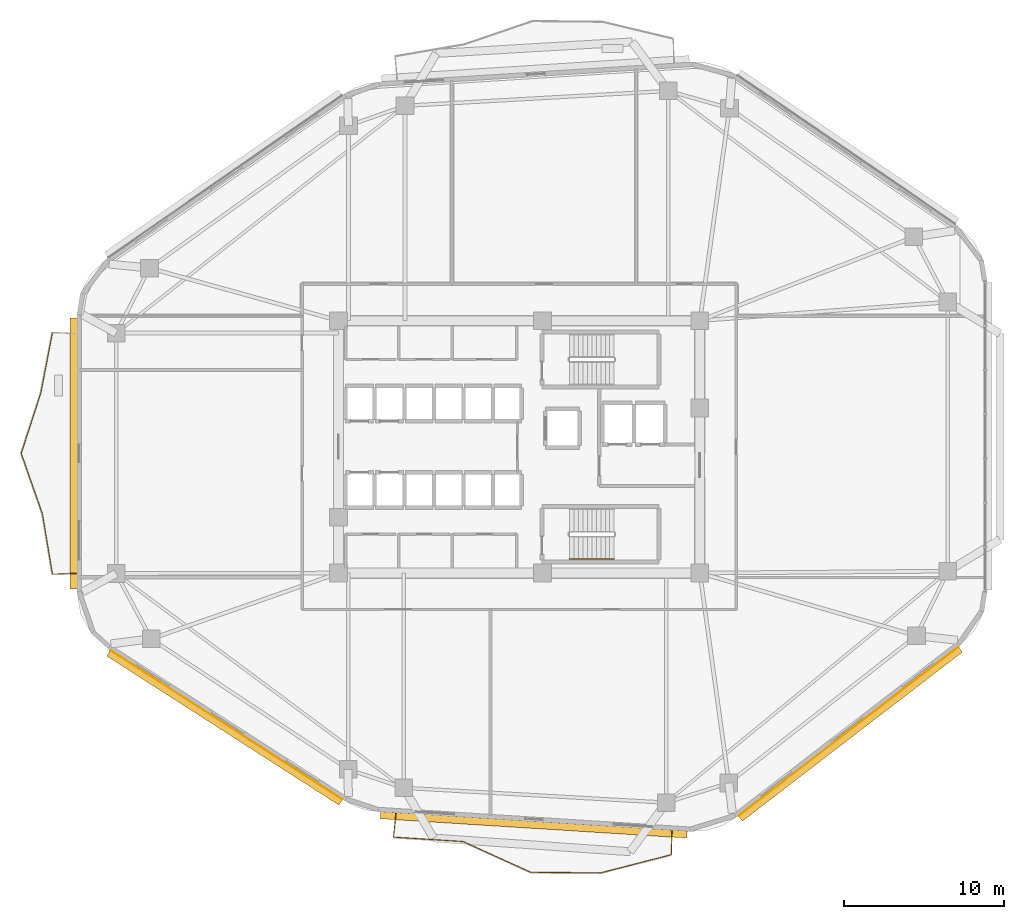
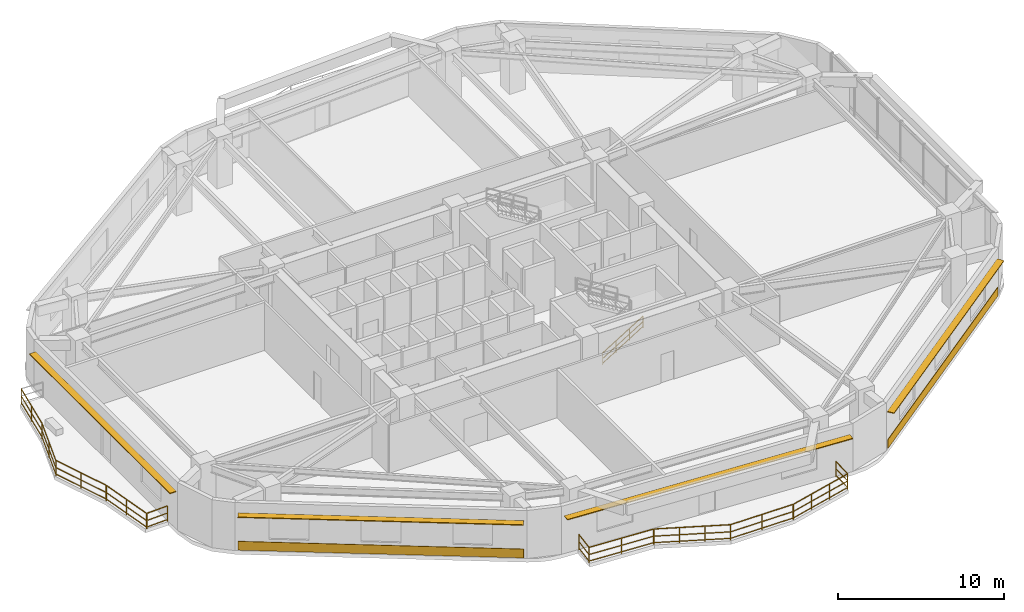
# One storey, part 12 of 14: 12 railings, 4 shading devices, 2 coverings.
"""IFC4 building model written with IfcOpenShell, lengths in metres."""

import ifcopenshell
import ifcopenshell.guid

model = None  # the IFC model being written
_history = None  # IfcOwnerHistory: only IFC2X3 demands one
_inside = {}  # id of a spatial element -> (the spatial element, [elements in it])
_under = {}  # id of a project, library or spatial element -> (it, [spatial elements below it])
_declared = {}  # id of a project -> (the project, [libraries it declares])
_typed = {}  # id of a type object -> (the type object, [elements of that type])
_made_of = {}  # id of a material, layer set ... -> (it, [elements and type objects made of it])


def new_model(schema):
    """Start an empty IFC model of exactly this schema.

    Asked for "IFC4X3", IfcOpenShell would pick the latest addendum, in which some entities
    have other attributes; the version numbers below select the first issue.
    IFC2X3 requires an IfcOwnerHistory on every rooted entity: one is made here for all.
    """
    global model, _history
    if schema == "IFC4X3":
        model = ifcopenshell.file(schema_version=(4, 3, 0, 0))
    else:
        model = ifcopenshell.file(schema=schema)
    _inside.clear()
    _under.clear()
    _declared.clear()
    _typed.clear()
    _made_of.clear()
    _history = None
    if model.schema == "IFC2X3":
        org = make("IfcOrganization", Name="unknown")
        user = make(
            "IfcPersonAndOrganization",
            ThePerson=make("IfcPerson", FamilyName="unknown"),
            TheOrganization=org,
        )
        app = make(
            "IfcApplication",
            ApplicationDeveloper=org,
            Version="unknown",
            ApplicationFullName="unknown",
            ApplicationIdentifier="unknown",
        )
        _history = make(
            "IfcOwnerHistory",
            OwningUser=user,
            OwningApplication=app,
            ChangeAction="ADDED",
            CreationDate=0,
        )
    return model


def make(cls, **values):
    """One entity of the class cls with the attributes given. An attribute that is None is left unset."""
    return model.create_entity(
        cls, **{name: value for name, value in values.items() if value is not None}
    )


def rooted(cls, **values):
    """An entity with a GlobalId (a new one), such as an element, a storey or a relation."""
    return make(cls, GlobalId=ifcopenshell.guid.new(), OwnerHistory=_history, **values)


def si_unit(unit_type, name, prefix=None):
    """IfcSIUnit, for example si_unit("LENGTHUNIT", "METRE", prefix="MILLI")."""
    return make("IfcSIUnit", UnitType=unit_type, Prefix=prefix, Name=name)


def assignment(units):
    """IfcUnitAssignment: the units of a project."""
    return None if units is None else make("IfcUnitAssignment", Units=units)


def point(xyz):
    """IfcCartesianPoint."""
    return None if xyz is None else make("IfcCartesianPoint", Coordinates=xyz)


def direction(xyz):
    """IfcDirection."""
    return None if xyz is None else make("IfcDirection", DirectionRatios=xyz)


def frame(location, z_axis=None, x_axis=None):
    """IfcAxis2Placement3D, a coordinate frame: its origin and axes. An axis left out is left unset."""
    return make(
        "IfcAxis2Placement3D",
        Location=point(location),
        Axis=direction(z_axis),
        RefDirection=direction(x_axis),
    )


def frame_2d(location, x_axis=None):
    """IfcAxis2Placement2D, a coordinate frame in the plane: its origin and x axis."""
    return make(
        "IfcAxis2Placement2D", Location=point(location), RefDirection=direction(x_axis)
    )


def origin():
    """The frame at (0, 0, 0) with its axes left unset."""
    return frame((0.0, 0.0, 0.0))


def origin_2d():
    """The frame at (0, 0) in the plane with its x axis left unset."""
    return frame_2d((0.0, 0.0))


def place(relative_to, where):
    """IfcLocalPlacement: puts the frame where relative to a parent placement (None: the world)."""
    return make(
        "IfcLocalPlacement", PlacementRelTo=relative_to, RelativePlacement=where
    )


def context(
    kind, dimensions, precision=None, world=None, true_north=None, identifier=None
):
    """IfcGeometricRepresentationContext, for example the 3D "Model" context."""
    return make(
        "IfcGeometricRepresentationContext",
        ContextIdentifier=identifier,
        ContextType=kind,
        CoordinateSpaceDimension=dimensions,
        Precision=precision,
        WorldCoordinateSystem=world,
        TrueNorth=true_north,
    )


def subcontext(parent, identifier, kind, view, scale=None):
    """IfcGeometricRepresentationSubContext, for example "Body" below "Model"."""
    return make(
        "IfcGeometricRepresentationSubContext",
        ContextIdentifier=identifier,
        ContextType=kind,
        ParentContext=parent,
        TargetScale=scale,
        TargetView=view,
    )


def project(units=None, contexts=None):
    """IfcProject with its units and contexts."""
    return rooted(
        "IfcProject",
        Name="project",
        RepresentationContexts=contexts,
        UnitsInContext=assignment(units),
    )


def spatial(cls, under=None, at=None, **own):
    """A site, building, storey or space (cls), placed at a placement, below another one or the project."""
    s = rooted(cls, ObjectPlacement=at, **own)
    if under is not None:
        _under.setdefault(under.id(), (under, []))[1].append(s)
    return s


def profile(cls, at=None, kind="AREA", **sizes):
    """A parametric profile (cls). Its sizes go by their IFC names, for example OverallWidth=200.0."""
    return make(cls, ProfileType=kind, Position=at, **sizes)


def rectangle(**sizes):
    """IfcRectangleProfileDef."""
    return profile("IfcRectangleProfileDef", **sizes)


def extrude(swept, where, along, depth):
    """IfcExtrudedAreaSolid: the profile swept, set in the frame where, extruded along a direction by depth."""
    return make(
        "IfcExtrudedAreaSolid",
        SweptArea=swept,
        Position=where,
        ExtrudedDirection=direction(along),
        Depth=depth,
    )


def shape(context_of_items, identifier, shape_type, items):
    """IfcShapeRepresentation: the items that make up one representation, for example the "Body"."""
    return make(
        "IfcShapeRepresentation",
        ContextOfItems=context_of_items,
        RepresentationIdentifier=identifier,
        RepresentationType=shape_type,
        Items=items,
    )


def material(Name=None, Category=None):
    """IfcMaterial."""
    return make("IfcMaterial", Name=Name, Category=Category)


def layer(
    of_material, thickness, ventilated=None, Name=None, Category=None, Priority=None
):
    """IfcMaterialLayer: one layer of a wall or slab, of a material (None: an air gap)."""
    return make(
        "IfcMaterialLayer",
        Material=of_material,
        LayerThickness=thickness,
        IsVentilated=ventilated,
        Name=Name,
        Category=Category,
        Priority=Priority,
    )


def layer_set(layers, Name=None):
    """IfcMaterialLayerSet."""
    return make("IfcMaterialLayerSet", MaterialLayers=layers, LayerSetName=Name)


def made_of(thing, what):
    """Note that an element or type object is made of a material, layer set ...; save() writes the relation."""
    if what is not None:
        _made_of.setdefault(what.id(), (what, []))[1].append(thing)
    return thing


def type_object(cls, material=None, **own):
    """A type object (cls), such as IfcWallType, which elements share."""
    return made_of(rooted(cls, **own), material)


def element(
    cls,
    number,
    at=None,
    inside=None,
    cuts=None,
    type_object=None,
    material=None,
    context=None,
    identifier="Body",
    shape_type=None,
    held_by="IfcProductDefinitionShape",
    body=None,
    shapes=None,
    **own,
):
    """One element of the class cls, such as IfcWall. Its Tag is "e" and its number.

    at: its placement. inside: the storey or other place that contains it. cuts: it is an
    opening in that element (IfcRelVoidsElement). A single representation is given by context,
    identifier, shape_type and body (its items); several are given by shapes. held_by: the class
    of the entity that holds the representations. save() writes the other relations.
    """
    e = rooted(cls, Tag="e%d" % number, ObjectPlacement=at, **own)
    if body is not None:
        shapes = [shape(context, identifier, shape_type, body)]
    if shapes is not None:
        e.Representation = make(held_by, Representations=shapes)
    if inside is not None:
        _inside.setdefault(inside.id(), (inside, []))[1].append(e)
    if cuts is not None:
        rooted(
            "IfcRelVoidsElement", RelatingBuildingElement=cuts, RelatedOpeningElement=e
        )
    if type_object is not None:
        _typed.setdefault(type_object.id(), (type_object, []))[1].append(e)
    return made_of(e, material)


def aggregate(whole, parts):
    """IfcRelAggregates: a whole, such as a stair, and the parts it consists of."""
    return rooted("IfcRelAggregates", RelatingObject=whole, RelatedObjects=parts)


def save(model, path):
    """Write the relations noted so far, then the file.

    IfcRelAggregates (storeys below a building ...), IfcRelContainedInSpatialStructure (elements
    in a storey), IfcRelDefinesByType, IfcRelAssociatesMaterial and IfcRelDeclares: one each for
    every whole, place, type object, material and project.
    """
    for whole, parts in _under.values():
        aggregate(whole, parts)
    for where, things in _inside.values():
        rooted(
            "IfcRelContainedInSpatialStructure",
            RelatedElements=things,
            RelatingStructure=where,
        )
    for kind, things in _typed.values():
        rooted("IfcRelDefinesByType", RelatedObjects=things, RelatingType=kind)
    for what, things in _made_of.values():
        rooted("IfcRelAssociatesMaterial", RelatedObjects=things, RelatingMaterial=what)
    for by, libraries in _declared.values():
        rooted("IfcRelDeclares", RelatingContext=by, RelatedDefinitions=libraries)
    model.write(path)


model = new_model("IFC4")

# Units and contexts
model_context = context("Model", 3, precision=1e-05, world=origin(), true_north=direction((0.0, 1.0)))
body_context = subcontext(model_context, "Body", "Model", "MODEL_VIEW")
ifc_project = project(units=[si_unit("LENGTHUNIT", "METRE"), si_unit("AREAUNIT", "SQUARE_METRE"), si_unit("VOLUMEUNIT", "CUBIC_METRE"), si_unit("PLANEANGLEUNIT", "RADIAN"), si_unit("MASSUNIT", "GRAM", prefix="KILO")], contexts=[model_context])

# Site, building, storey
site_placement = place(None, origin())
site = spatial("IfcSite", under=ifc_project, at=site_placement, CompositionType="ELEMENT")
building_placement = place(site_placement, origin())
building = spatial("IfcBuilding", under=site, at=building_placement, Name="Zulverin Broadcast Headquarters", CompositionType="ELEMENT")
storey_placement = place(building_placement, frame((0.0, 0.0, 85.800048828125)))
storey = spatial("IfcBuildingStorey", under=building, at=storey_placement, Name="L21", CompositionType="ELEMENT", Elevation=85.800048828125)

# Coverings
ifc_material_1 = material(Name="Brushed pale-aluminium rainscreen cladding", Category="aluminium")
ifc_layer_1 = layer(ifc_material_1, 0.0400390625, Name="Brushed pale-aluminium rainscreen cladding", Category="aluminium")
ifc_layer_set_1 = layer_set([ifc_layer_1], Name="Brushed pale-aluminium rainscreen cladding")
covering_type = type_object("IfcCoveringType", Name="COV-CLAD-PALE", PredefinedType="CLADDING", material=ifc_layer_set_1)
covering_1_placement = place(storey_placement, frame((57.542724609375, 7.448974609375, 0.054931640625), z_axis=(0.0, 0.0, 1.0), x_axis=(0.792933468586, 0.609308226102, 0.0)))
element("IfcCovering", 1, at=covering_1_placement, inside=storey, type_object=covering_type, Name="L21 Brushed Pale-Aluminium Spandrel Cladding 2", PredefinedType="CLADDING", context=body_context, shape_type="SweptSolid", body=[
    extrude(rectangle(XDim=17.312744140625, YDim=0.0400390625, at=origin_2d()), origin(), (0.0, 0.0, 1.0), 0.64990234375),
])
covering_2_placement = place(storey_placement, frame((18.732666015625, 7.84130859375, 0.054931640625), z_axis=(0.0, 0.0, 1.0), x_axis=(0.841296678234, -0.540573676007, 0.0)))
element("IfcCovering", 2, at=covering_2_placement, inside=storey, type_object=covering_type, Name="L21 Brushed Pale-Aluminium Spandrel Cladding 8", PredefinedType="CLADDING", context=body_context, shape_type="SweptSolid", body=[
    extrude(rectangle(XDim=17.2119140625, YDim=0.0400390625, at=origin_2d()), origin(), (0.0, 0.0, 1.0), 0.64990234375),
])

# Railings
ifc_material_2 = material(Name="Brushed stainless steel & laminated glass balustrade", Category="steel")
railing_type_1 = type_object("IfcRailingType", Name="RL-GUARD-1150", PredefinedType="GUARDRAIL", material=ifc_material_2)
railing_1_placement = place(storey_placement, frame((7.877197265625, 32.32958984375, 0.0)))
element("IfcRailing", 3, at=railing_1_placement, inside=storey, type_object=railing_type_1, Name="L21 Vertical-Forest Balcony Guardrail BAL_W Segment 02", PredefinedType="GUARDRAIL", context=body_context, shape_type="SweptSolid", body=[
    extrude(rectangle(XDim=0.048095703125, YDim=0.048095703125, at=origin_2d()), frame((0.0, 0.0, 1.1259765625), z_axis=(-0.189379095055, -0.981904047428, 0.0), x_axis=(0.981904047428, -0.189379095055, 0.0)), (0.0, 0.0, 1.0), 3.814697265625),
    extrude(rectangle(XDim=0.0419921875, YDim=0.0419921875, at=origin_2d()), frame((0.0, 0.0, 0.597900390625), z_axis=(-0.189379095055, -0.981904047428, 0.0), x_axis=(0.981904047428, -0.189379095055, 0.0)), (0.0, 0.0, 1.0), 3.814697265625),
    extrude(rectangle(XDim=0.0419921875, YDim=0.0419921875, at=origin_2d()), frame((0.0, 0.0, 0.1201171875), z_axis=(-0.189379095055, -0.981904047428, 0.0), x_axis=(0.981904047428, -0.189379095055, 0.0)), (0.0, 0.0, 1.0), 3.814697265625),
    extrude(rectangle(XDim=0.0419921875, YDim=0.0419921875, at=origin_2d()), origin(), (0.0, 0.0, 1.0), 1.101806640625),
    extrude(rectangle(XDim=0.0419921875, YDim=0.0419921875, at=origin_2d()), frame((-0.361328125, -1.872802734375, 0.0)), (0.0, 0.0, 1.0), 1.101806640625),
    extrude(rectangle(XDim=0.0419921875, YDim=0.0419921875, at=origin_2d()), frame((-0.722412109375, -3.74560546875, 0.0)), (0.0, 0.0, 1.0), 1.101806640625),
])
railing_2_placement = place(storey_placement, frame((7.1474609375, 28.554931640625, 0.0)))
element("IfcRailing", 4, at=railing_2_placement, inside=storey, type_object=railing_type_1, Name="L21 Vertical-Forest Balcony Guardrail BAL_W Segment 03", PredefinedType="GUARDRAIL", context=body_context, shape_type="SweptSolid", body=[
    extrude(rectangle(XDim=0.048095703125, YDim=0.048095703125, at=origin_2d()), frame((0.0, 0.0, 1.1259765625), z_axis=(-0.307995247277, -0.951387895474, 0.0), x_axis=(0.951387895474, -0.307995247277, 0.0)), (0.0, 0.0, 1.0), 3.93798828125),
    extrude(rectangle(XDim=0.0419921875, YDim=0.0419921875, at=origin_2d()), frame((0.0, 0.0, 0.597900390625), z_axis=(-0.307995247277, -0.951387895474, 0.0), x_axis=(0.951387895474, -0.307995247277, 0.0)), (0.0, 0.0, 1.0), 3.93798828125),
    extrude(rectangle(XDim=0.0419921875, YDim=0.0419921875, at=origin_2d()), frame((0.0, 0.0, 0.1201171875), z_axis=(-0.307995247277, -0.951387895474, 0.0), x_axis=(0.951387895474, -0.307995247277, 0.0)), (0.0, 0.0, 1.0), 3.93798828125),
    extrude(rectangle(XDim=0.0419921875, YDim=0.0419921875, at=origin_2d()), origin(), (0.0, 0.0, 1.0), 1.101806640625),
    extrude(rectangle(XDim=0.0419921875, YDim=0.0419921875, at=origin_2d()), frame((-0.6064453125, -1.873291015625, 0.0)), (0.0, 0.0, 1.0), 1.101806640625),
    extrude(rectangle(XDim=0.0419921875, YDim=0.0419921875, at=origin_2d()), frame((-1.212890625, -3.74658203125, 0.0)), (0.0, 0.0, 1.0), 1.101806640625),
])
railing_3_placement = place(storey_placement, frame((5.934814453125, 24.77978515625, 0.0)))
element("IfcRailing", 5, at=railing_3_placement, inside=storey, type_object=railing_type_1, Name="L21 Vertical-Forest Balcony Guardrail BAL_W Segment 04", PredefinedType="GUARDRAIL", context=body_context, shape_type="SweptSolid", body=[
    extrude(rectangle(XDim=0.048095703125, YDim=0.048095703125, at=origin_2d()), frame((0.0, 0.0, 1.1259765625), z_axis=(0.329832515305, -0.944039465196, 0.0), x_axis=(0.944039465196, 0.329832515305, 0.0)), (0.0, 0.0, 1.0), 3.968994140625),
    extrude(rectangle(XDim=0.0419921875, YDim=0.0419921875, at=origin_2d()), frame((0.0, 0.0, 0.597900390625), z_axis=(0.329832515305, -0.944039465196, 0.0), x_axis=(0.944039465196, 0.329832515305, 0.0)), (0.0, 0.0, 1.0), 3.968994140625),
    extrude(rectangle(XDim=0.0419921875, YDim=0.0419921875, at=origin_2d()), frame((0.0, 0.0, 0.1201171875), z_axis=(0.329832515305, -0.944039465196, 0.0), x_axis=(0.944039465196, 0.329832515305, 0.0)), (0.0, 0.0, 1.0), 3.968994140625),
    extrude(rectangle(XDim=0.0419921875, YDim=0.0419921875, at=origin_2d()), origin(), (0.0, 0.0, 1.0), 1.101806640625),
    extrude(rectangle(XDim=0.0419921875, YDim=0.0419921875, at=origin_2d()), frame((0.654541015625, -1.87353515625, 0.0)), (0.0, 0.0, 1.0), 1.101806640625),
    extrude(rectangle(XDim=0.0419921875, YDim=0.0419921875, at=origin_2d()), frame((1.30908203125, -3.746826171875, 0.0)), (0.0, 0.0, 1.0), 1.101806640625),
])
railing_4_placement = place(storey_placement, frame((7.251220703125, 21.00390625, 0.0)))
element("IfcRailing", 6, at=railing_4_placement, inside=storey, type_object=railing_type_1, Name="L21 Vertical-Forest Balcony Guardrail BAL_W Segment 05", PredefinedType="GUARDRAIL", context=body_context, shape_type="SweptSolid", body=[
    extrude(rectangle(XDim=0.048095703125, YDim=0.048095703125, at=origin_2d()), frame((0.0, 0.0, 1.1259765625), z_axis=(0.164899372021, -0.986310395924, 0.0), x_axis=(0.986310395924, 0.164899372021, 0.0)), (0.0, 0.0, 1.0), 3.797607421875),
    extrude(rectangle(XDim=0.0419921875, YDim=0.0419921875, at=origin_2d()), frame((0.0, 0.0, 0.597900390625), z_axis=(0.164899372021, -0.986310395924, 0.0), x_axis=(0.986310395924, 0.164899372021, 0.0)), (0.0, 0.0, 1.0), 3.797607421875),
    extrude(rectangle(XDim=0.0419921875, YDim=0.0419921875, at=origin_2d()), frame((0.0, 0.0, 0.1201171875), z_axis=(0.164899372021, -0.986310395924, 0.0), x_axis=(0.986310395924, 0.164899372021, 0.0)), (0.0, 0.0, 1.0), 3.797607421875),
    extrude(rectangle(XDim=0.0419921875, YDim=0.0419921875, at=origin_2d()), origin(), (0.0, 0.0, 1.0), 1.101806640625),
    extrude(rectangle(XDim=0.0419921875, YDim=0.0419921875, at=origin_2d()), frame((0.31298828125, -1.872802734375, 0.0)), (0.0, 0.0, 1.0), 1.101806640625),
    extrude(rectangle(XDim=0.0419921875, YDim=0.0419921875, at=origin_2d()), frame((0.626220703125, -3.74560546875, 0.0)), (0.0, 0.0, 1.0), 1.101806640625),
])
railing_5_placement = place(storey_placement, frame((7.89501953125, 17.244140625, 0.0)))
element("IfcRailing", 7, at=railing_5_placement, inside=storey, type_object=railing_type_1, Name="L21 Vertical-Forest Balcony Guardrail BAL_W Segment 06", PredefinedType="GUARDRAIL", context=body_context, shape_type="SweptSolid", body=[
    extrude(rectangle(XDim=0.048095703125, YDim=0.048095703125, at=origin_2d()), frame((0.0, 0.0, 1.1259765625), z_axis=(0.999174410196, 0.040626321628, 0.0), x_axis=(-0.040626321628, 0.999174410196, 0.0)), (0.0, 0.0, 1.0), 1.46630859375),
    extrude(rectangle(XDim=0.0419921875, YDim=0.0419921875, at=origin_2d()), frame((0.0, 0.0, 0.597900390625), z_axis=(0.999174410196, 0.040626321628, 0.0), x_axis=(-0.040626321628, 0.999174410196, 0.0)), (0.0, 0.0, 1.0), 1.46630859375),
    extrude(rectangle(XDim=0.0419921875, YDim=0.0419921875, at=origin_2d()), frame((0.0, 0.0, 0.1201171875), z_axis=(0.999174410196, 0.040626321628, 0.0), x_axis=(-0.040626321628, 0.999174410196, 0.0)), (0.0, 0.0, 1.0), 1.46630859375),
    extrude(rectangle(XDim=0.0419921875, YDim=0.0419921875, at=origin_2d()), origin(), (0.0, 0.0, 1.0), 1.101806640625),
    extrude(rectangle(XDim=0.0419921875, YDim=0.0419921875, at=origin_2d()), frame((1.465087890625, 0.0595703125, 0.0)), (0.0, 0.0, 1.0), 1.101806640625),
])
railing_6_placement = place(storey_placement, frame((29.3076171875, 2.318603515625, 0.0)))
element("IfcRailing", 8, at=railing_6_placement, inside=storey, type_object=railing_type_1, Name="L21 Vertical-Forest Balcony Guardrail BAL_S Segment 01", PredefinedType="GUARDRAIL", context=body_context, shape_type="SweptSolid", body=[
    extrude(rectangle(XDim=0.048095703125, YDim=0.048095703125, at=origin_2d()), frame((0.0, 0.0, 1.1259765625), z_axis=(-0.103228615139, -0.99465765619, 0.0), x_axis=(0.99465765619, -0.103228615139, 0.0)), (0.0, 0.0, 1.0), 1.46630859375),
    extrude(rectangle(XDim=0.0419921875, YDim=0.0419921875, at=origin_2d()), frame((0.0, 0.0, 0.597900390625), z_axis=(-0.103228615139, -0.99465765619, 0.0), x_axis=(0.99465765619, -0.103228615139, 0.0)), (0.0, 0.0, 1.0), 1.46630859375),
    extrude(rectangle(XDim=0.0419921875, YDim=0.0419921875, at=origin_2d()), frame((0.0, 0.0, 0.1201171875), z_axis=(-0.103228615139, -0.99465765619, 0.0), x_axis=(0.99465765619, -0.103228615139, 0.0)), (0.0, 0.0, 1.0), 1.46630859375),
    extrude(rectangle(XDim=0.0419921875, YDim=0.0419921875, at=origin_2d()), origin(), (0.0, 0.0, 1.0), 1.101806640625),
    extrude(rectangle(XDim=0.0419921875, YDim=0.0419921875, at=origin_2d()), frame((-0.1513671875, -1.45849609375, 0.0)), (0.0, 0.0, 1.0), 1.101806640625),
])
railing_7_placement = place(storey_placement, frame((29.169677734375, 0.84423828125, 0.0)))
element("IfcRailing", 9, at=railing_7_placement, inside=storey, type_object=railing_type_1, Name="L21 Vertical-Forest Balcony Guardrail BAL_S Segment 02", PredefinedType="GUARDRAIL", context=body_context, shape_type="SweptSolid", body=[
    extrude(rectangle(XDim=0.048095703125, YDim=0.048095703125, at=origin_2d()), frame((0.0, 0.0, 1.1259765625), z_axis=(0.998014296805, -0.062987803365, 0.0), x_axis=(0.062987803365, 0.998014296805, 0.0)), (0.0, 0.0, 1.0), 4.31396484375),
    extrude(rectangle(XDim=0.0419921875, YDim=0.0419921875, at=origin_2d()), frame((0.0, 0.0, 0.597900390625), z_axis=(0.998014296805, -0.062987803365, 0.0), x_axis=(0.062987803365, 0.998014296805, 0.0)), (0.0, 0.0, 1.0), 4.31396484375),
    extrude(rectangle(XDim=0.0419921875, YDim=0.0419921875, at=origin_2d()), frame((0.0, 0.0, 0.1201171875), z_axis=(0.998014296805, -0.062987803365, 0.0), x_axis=(0.062987803365, 0.998014296805, 0.0)), (0.0, 0.0, 1.0), 4.31396484375),
    extrude(rectangle(XDim=0.0419921875, YDim=0.0419921875, at=origin_2d()), origin(), (0.0, 0.0, 1.0), 1.101806640625),
    extrude(rectangle(XDim=0.0419921875, YDim=0.0419921875, at=origin_2d()), frame((2.15283203125, -0.1357421875, 0.0)), (0.0, 0.0, 1.0), 1.101806640625),
    extrude(rectangle(XDim=0.0419921875, YDim=0.0419921875, at=origin_2d()), frame((4.305419921875, -0.271728515625, 0.0)), (0.0, 0.0, 1.0), 1.101806640625),
])
railing_8_placement = place(storey_placement, frame((33.50390625, 0.5654296875, 0.0)))
element("IfcRailing", 10, at=railing_8_placement, inside=storey, type_object=railing_type_1, Name="L21 Vertical-Forest Balcony Guardrail BAL_S Segment 03", PredefinedType="GUARDRAIL", context=body_context, shape_type="SweptSolid", body=[
    extrude(rectangle(XDim=0.048095703125, YDim=0.048095703125, at=origin_2d()), frame((0.0, 0.0, 1.1259765625), z_axis=(0.910639731455, -0.413201257859, 0.0), x_axis=(0.413201257859, 0.910639731455, 0.0)), (0.0, 0.0, 1.0), 4.616943359375),
    extrude(rectangle(XDim=0.0419921875, YDim=0.0419921875, at=origin_2d()), frame((0.0, 0.0, 0.597900390625), z_axis=(0.910639731455, -0.413201257859, 0.0), x_axis=(0.413201257859, 0.910639731455, 0.0)), (0.0, 0.0, 1.0), 4.616943359375),
    extrude(rectangle(XDim=0.0419921875, YDim=0.0419921875, at=origin_2d()), frame((0.0, 0.0, 0.1201171875), z_axis=(0.910639731455, -0.413201257859, 0.0), x_axis=(0.413201257859, 0.910639731455, 0.0)), (0.0, 0.0, 1.0), 4.616943359375),
    extrude(rectangle(XDim=0.0419921875, YDim=0.0419921875, at=origin_2d()), origin(), (0.0, 0.0, 1.0), 1.101806640625),
    extrude(rectangle(XDim=0.0419921875, YDim=0.0419921875, at=origin_2d()), frame((1.4013671875, -0.635986328125, 0.0)), (0.0, 0.0, 1.0), 1.101806640625),
    extrude(rectangle(XDim=0.0419921875, YDim=0.0419921875, at=origin_2d()), frame((2.802978515625, -1.271728515625, 0.0)), (0.0, 0.0, 1.0), 1.101806640625),
    extrude(rectangle(XDim=0.0419921875, YDim=0.0419921875, at=origin_2d()), frame((4.204345703125, -1.90771484375, 0.0)), (0.0, 0.0, 1.0), 1.101806640625),
])
railing_9_placement = place(storey_placement, frame((37.737060546875, -1.3486328125, 0.0)))
element("IfcRailing", 11, at=railing_9_placement, inside=storey, type_object=railing_type_1, Name="L21 Vertical-Forest Balcony Guardrail BAL_S Segment 04", PredefinedType="GUARDRAIL", context=body_context, shape_type="SweptSolid", body=[
    extrude(rectangle(XDim=0.048095703125, YDim=0.048095703125, at=origin_2d()), frame((0.0, 0.0, 1.1259765625), z_axis=(0.99996643514, -0.008193204108, 0.0), x_axis=(0.008193204108, 0.99996643514, 0.0)), (0.0, 0.0, 1.0), 4.32080078125),
    extrude(rectangle(XDim=0.0419921875, YDim=0.0419921875, at=origin_2d()), frame((0.0, 0.0, 0.597900390625), z_axis=(0.99996643514, -0.008193204108, 0.0), x_axis=(0.008193204108, 0.99996643514, 0.0)), (0.0, 0.0, 1.0), 4.32080078125),
    extrude(rectangle(XDim=0.0419921875, YDim=0.0419921875, at=origin_2d()), frame((0.0, 0.0, 0.1201171875), z_axis=(0.99996643514, -0.008193204108, 0.0), x_axis=(0.008193204108, 0.99996643514, 0.0)), (0.0, 0.0, 1.0), 4.32080078125),
    extrude(rectangle(XDim=0.0419921875, YDim=0.0419921875, at=origin_2d()), origin(), (0.0, 0.0, 1.0), 1.101806640625),
    extrude(rectangle(XDim=0.0419921875, YDim=0.0419921875, at=origin_2d()), frame((2.16015625, -0.017578125, 0.0)), (0.0, 0.0, 1.0), 1.101806640625),
    extrude(rectangle(XDim=0.0419921875, YDim=0.0419921875, at=origin_2d()), frame((4.320556640625, -0.035400390625, 0.0)), (0.0, 0.0, 1.0), 1.101806640625),
])
railing_10_placement = place(storey_placement, frame((42.087158203125, -1.38037109375, 0.0)))
element("IfcRailing", 12, at=railing_10_placement, inside=storey, type_object=railing_type_1, Name="L21 Vertical-Forest Balcony Guardrail BAL_S Segment 05", PredefinedType="GUARDRAIL", context=body_context, shape_type="SweptSolid", body=[
    extrude(rectangle(XDim=0.048095703125, YDim=0.048095703125, at=origin_2d()), frame((0.0, 0.0, 1.1259765625), z_axis=(0.968604429989, 0.248607035713, 0.0), x_axis=(-0.248607035713, 0.968604429989, 0.0)), (0.0, 0.0, 1.0), 4.5380859375),
    extrude(rectangle(XDim=0.0419921875, YDim=0.0419921875, at=origin_2d()), frame((0.0, 0.0, 0.597900390625), z_axis=(0.968604429989, 0.248607035713, 0.0), x_axis=(-0.248607035713, 0.968604429989, 0.0)), (0.0, 0.0, 1.0), 4.5380859375),
    extrude(rectangle(XDim=0.0419921875, YDim=0.0419921875, at=origin_2d()), frame((0.0, 0.0, 0.1201171875), z_axis=(0.968604429989, 0.248607035713, 0.0), x_axis=(-0.248607035713, 0.968604429989, 0.0)), (0.0, 0.0, 1.0), 4.5380859375),
    extrude(rectangle(XDim=0.0419921875, YDim=0.0419921875, at=origin_2d()), origin(), (0.0, 0.0, 1.0), 1.101806640625),
    extrude(rectangle(XDim=0.0419921875, YDim=0.0419921875, at=origin_2d()), frame((1.465087890625, 0.3759765625, 0.0)), (0.0, 0.0, 1.0), 1.101806640625),
    extrude(rectangle(XDim=0.0419921875, YDim=0.0419921875, at=origin_2d()), frame((2.930419921875, 0.752197265625, 0.0)), (0.0, 0.0, 1.0), 1.101806640625),
    extrude(rectangle(XDim=0.0419921875, YDim=0.0419921875, at=origin_2d()), frame((4.3955078125, 1.128173828125, 0.0)), (0.0, 0.0, 1.0), 1.101806640625),
])
railing_11_placement = place(storey_placement, frame((46.497314453125, -0.233642578125, 0.0)))
element("IfcRailing", 13, at=railing_11_placement, inside=storey, type_object=railing_type_1, Name="L21 Vertical-Forest Balcony Guardrail BAL_S Segment 06", PredefinedType="GUARDRAIL", context=body_context, shape_type="SweptSolid", body=[
    extrude(rectangle(XDim=0.048095703125, YDim=0.048095703125, at=origin_2d()), frame((0.0, 0.0, 1.1259765625), z_axis=(0.022641987457, 0.999743637341, 0.0), x_axis=(-0.999743637341, 0.022641987457, 0.0)), (0.0, 0.0, 1.0), 1.466552734375),
    extrude(rectangle(XDim=0.0419921875, YDim=0.0419921875, at=origin_2d()), frame((0.0, 0.0, 0.597900390625), z_axis=(0.022641987457, 0.999743637341, 0.0), x_axis=(-0.999743637341, 0.022641987457, 0.0)), (0.0, 0.0, 1.0), 1.466552734375),
    extrude(rectangle(XDim=0.0419921875, YDim=0.0419921875, at=origin_2d()), frame((0.0, 0.0, 0.1201171875), z_axis=(0.022641987457, 0.999743637341, 0.0), x_axis=(-0.999743637341, 0.022641987457, 0.0)), (0.0, 0.0, 1.0), 1.466552734375),
    extrude(rectangle(XDim=0.0419921875, YDim=0.0419921875, at=origin_2d()), origin(), (0.0, 0.0, 1.0), 1.101806640625),
    extrude(rectangle(XDim=0.0419921875, YDim=0.0419921875, at=origin_2d()), frame((0.033203125, 1.466064453125, 0.0)), (0.0, 0.0, 1.0), 1.101806640625),
])
ifc_material_3 = material(Name="Brushed stainless steel 48 mm handrail", Category="steel")
railing_type_2 = type_object("IfcRailingType", Name="RL-ST-HAND", PredefinedType="HANDRAIL", material=ifc_material_3)
railing_12_placement = place(storey_placement, frame((40.1298828125, 18.199951171875, 0.172607421875)))
element("IfcRailing", 14, at=railing_12_placement, inside=storey, type_object=railing_type_2, Name="L21 ST-2 stair handrail 1", PredefinedType="HANDRAIL", context=body_context, shape_type="SweptSolid", body=[
    extrude(rectangle(XDim=0.048095703125, YDim=0.048095703125, at=origin_2d()), frame((0.0, 0.0, 0.8759765625), z_axis=(0.851089632645, 0.0, 0.525020415988), x_axis=(0.0, 1.0, 0.0)), (0.0, 0.0, 1.0), 3.2900390625),
    extrude(rectangle(XDim=0.0419921875, YDim=0.0419921875, at=origin_2d()), frame((0.0, 0.0, 0.468017578125), z_axis=(0.851089632645, 0.0, 0.525020415988), x_axis=(0.0, 1.0, 0.0)), (0.0, 0.0, 1.0), 3.2900390625),
    extrude(rectangle(XDim=0.0419921875, YDim=0.0419921875, at=origin_2d()), frame((0.0, 0.0, 0.1201171875), z_axis=(0.851089632645, 0.0, 0.525020415988), x_axis=(0.0, 1.0, 0.0)), (0.0, 0.0, 1.0), 3.2900390625),
    extrude(rectangle(XDim=0.0419921875, YDim=0.0419921875, at=origin_2d()), origin(), (0.0, 0.0, 1.0), 0.851806640625),
    extrude(rectangle(XDim=0.0419921875, YDim=0.0419921875, at=origin_2d()), frame((0.933349609375, 0.0, 0.57568359375)), (0.0, 0.0, 1.0), 0.851806640625),
    extrude(rectangle(XDim=0.0419921875, YDim=0.0419921875, at=origin_2d()), frame((1.86669921875, 0.0, 1.151611328125)), (0.0, 0.0, 1.0), 0.851806640625),
    extrude(rectangle(XDim=0.0419921875, YDim=0.0419921875, at=origin_2d()), frame((2.800048828125, 0.0, 1.727294921875)), (0.0, 0.0, 1.0), 0.851806640625),
])

# Shading devices
ifc_material_4 = material(Name="Anodized pale-metal aluminium sunshade", Category="aluminium")
ifc_layer_2 = layer(ifc_material_4, 0.06005859375, Name="Anodized pale-metal aluminium sunshade", Category="aluminium")
ifc_layer_set_2 = layer_set([ifc_layer_2], Name="Anodized pale-metal aluminium sunshade")
shading_device_type = type_object("IfcShadingDeviceType", Name="SS-01_PALE_METAL_ALUMINIUM_SUNSHADE", PredefinedType="USERDEFINED", material=ifc_layer_set_2)
shading_device_1_placement = place(storey_placement, frame((37.908935546875, 1.61572265625, 2.7099609375), z_axis=(0.0, 0.0, 1.0), x_axis=(0.998017182581, -0.062942062821, 0.0)))
element("IfcShadingDevice", 15, at=shading_device_1_placement, inside=storey, type_object=shading_device_type, Name="L21 Horizontal Pale-Metal Sunshade Band 1", ObjectType="SUNSHADE", PredefinedType="USERDEFINED", context=body_context, shape_type="SweptSolid", body=[
    extrude(rectangle(XDim=19.177001953125, YDim=0.449951171875, at=origin_2d()), origin(), (0.0, 0.0, 1.0), 0.06005859375),
])
shading_device_2_placement = place(storey_placement, frame((57.658447265625, 7.29833984375, 2.7099609375), z_axis=(0.0, 0.0, 1.0), x_axis=(0.792933468586, 0.609308226102, 0.0)))
element("IfcShadingDevice", 16, at=shading_device_2_placement, inside=storey, type_object=shading_device_type, Name="L21 Horizontal Pale-Metal Sunshade Band 2", ObjectType="SUNSHADE", PredefinedType="USERDEFINED", context=body_context, shape_type="SweptSolid", body=[
    extrude(rectangle(XDim=17.312744140625, YDim=0.449951171875, at=origin_2d()), origin(), (0.0, 0.0, 1.0), 0.06005859375),
])
shading_device_3_placement = place(storey_placement, frame((9.199951171875, 24.7939453125, 2.7099609375), z_axis=(0.0, 0.0, 1.0), x_axis=(0.0, -1.0, 0.0)))
element("IfcShadingDevice", 17, at=shading_device_3_placement, inside=storey, type_object=shading_device_type, Name="L21 Horizontal Pale-Metal Sunshade Band 7", ObjectType="SUNSHADE", PredefinedType="USERDEFINED", context=body_context, shape_type="SweptSolid", body=[
    extrude(rectangle(XDim=16.90087890625, YDim=0.449951171875, at=origin_2d()), origin(), (0.0, 0.0, 1.0), 0.06005859375),
])
shading_device_4_placement = place(storey_placement, frame((18.6298828125, 7.681640625, 2.7099609375), z_axis=(0.0, 0.0, 1.0), x_axis=(0.841296678234, -0.540573676007, 0.0)))
element("IfcShadingDevice", 18, at=shading_device_4_placement, inside=storey, type_object=shading_device_type, Name="L21 Horizontal Pale-Metal Sunshade Band 8", ObjectType="SUNSHADE", PredefinedType="USERDEFINED", context=body_context, shape_type="SweptSolid", body=[
    extrude(rectangle(XDim=17.2119140625, YDim=0.449951171875, at=origin_2d()), origin(), (0.0, 0.0, 1.0), 0.06005859375),
])

save(model, "model.ifc")
